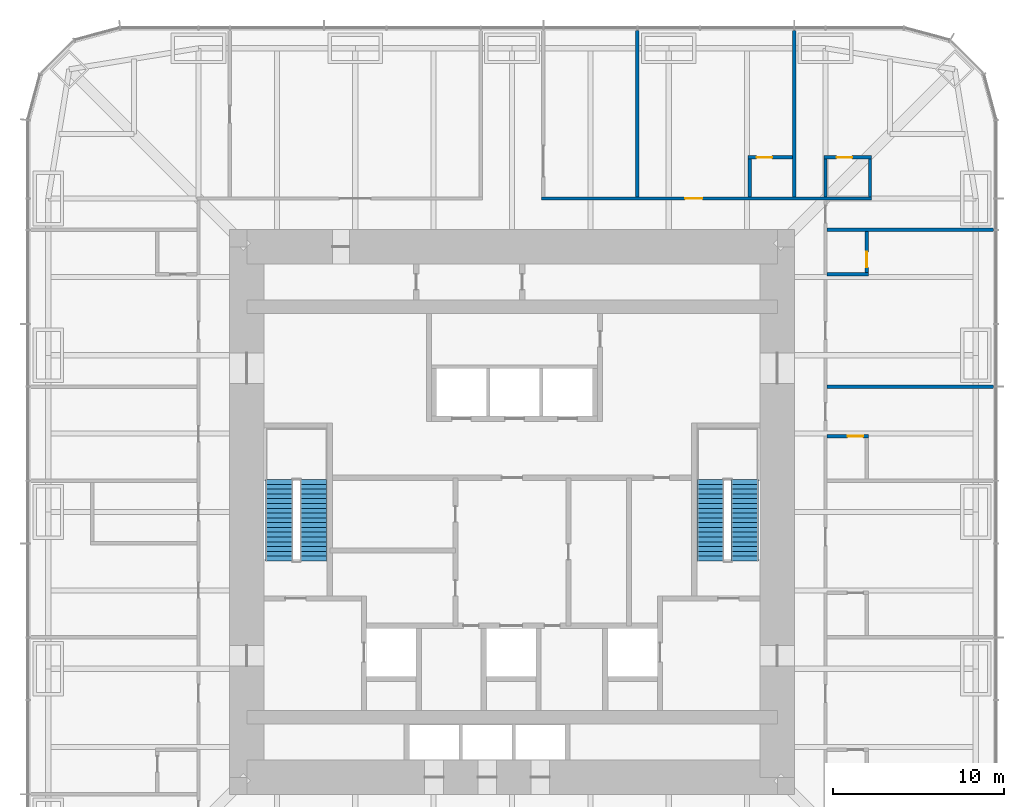
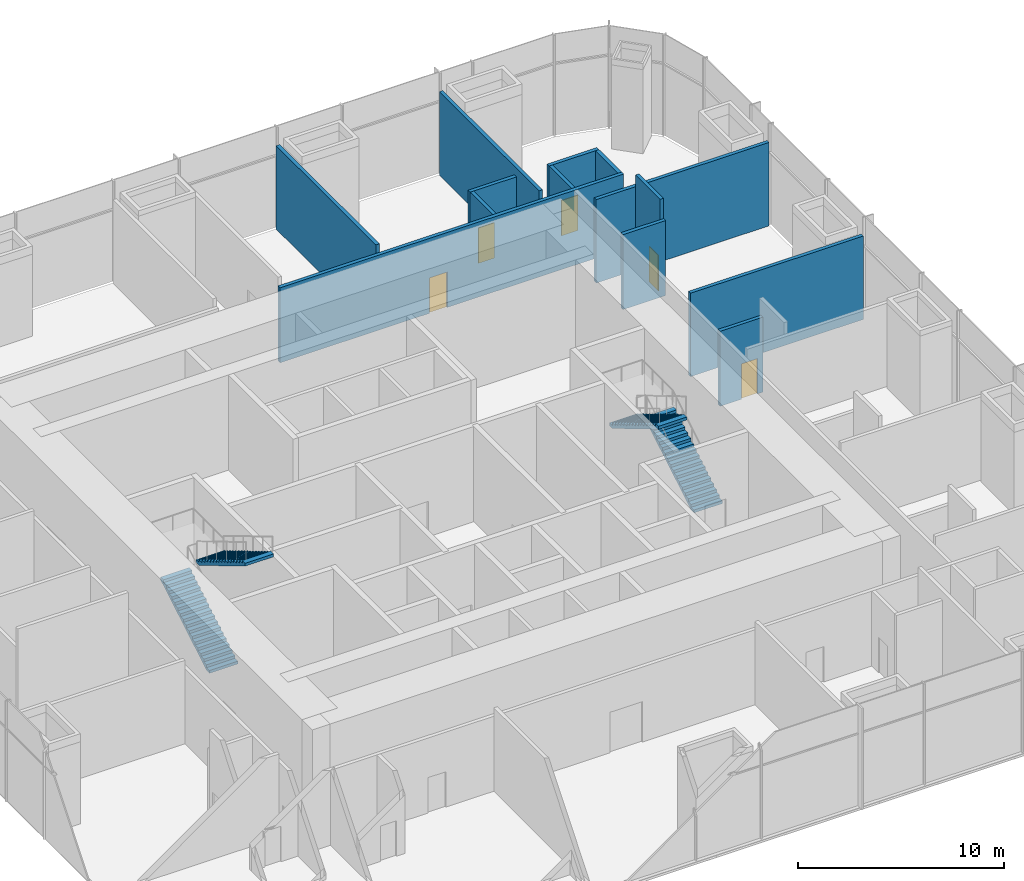
# One storey, part 11 of 12: 13 walls, 5 doors, 4 stair flights, 5 openings, 2 elements without a shape of their own.
"""IFC4 building model written with IfcOpenShell, lengths in metres."""

import ifcopenshell
import ifcopenshell.guid

model = None  # the IFC model being written
_history = None  # IfcOwnerHistory: only IFC2X3 demands one
_inside = {}  # id of a spatial element -> (the spatial element, [elements in it])
_under = {}  # id of a project, library or spatial element -> (it, [spatial elements below it])
_declared = {}  # id of a project -> (the project, [libraries it declares])
_typed = {}  # id of a type object -> (the type object, [elements of that type])
_made_of = {}  # id of a material, layer set ... -> (it, [elements and type objects made of it])


def new_model(schema):
    """Start an empty IFC model of exactly this schema.

    Asked for "IFC4X3", IfcOpenShell would pick the latest addendum, in which some entities
    have other attributes; the version numbers below select the first issue.
    IFC2X3 requires an IfcOwnerHistory on every rooted entity: one is made here for all.
    """
    global model, _history
    if schema == "IFC4X3":
        model = ifcopenshell.file(schema_version=(4, 3, 0, 0))
    else:
        model = ifcopenshell.file(schema=schema)
    _inside.clear()
    _under.clear()
    _declared.clear()
    _typed.clear()
    _made_of.clear()
    _history = None
    if model.schema == "IFC2X3":
        org = make("IfcOrganization", Name="unknown")
        user = make(
            "IfcPersonAndOrganization",
            ThePerson=make("IfcPerson", FamilyName="unknown"),
            TheOrganization=org,
        )
        app = make(
            "IfcApplication",
            ApplicationDeveloper=org,
            Version="unknown",
            ApplicationFullName="unknown",
            ApplicationIdentifier="unknown",
        )
        _history = make(
            "IfcOwnerHistory",
            OwningUser=user,
            OwningApplication=app,
            ChangeAction="ADDED",
            CreationDate=0,
        )
    return model


def make(cls, **values):
    """One entity of the class cls with the attributes given. An attribute that is None is left unset."""
    return model.create_entity(
        cls, **{name: value for name, value in values.items() if value is not None}
    )


def rooted(cls, **values):
    """An entity with a GlobalId (a new one), such as an element, a storey or a relation."""
    return make(cls, GlobalId=ifcopenshell.guid.new(), OwnerHistory=_history, **values)


def si_unit(unit_type, name, prefix=None):
    """IfcSIUnit, for example si_unit("LENGTHUNIT", "METRE", prefix="MILLI")."""
    return make("IfcSIUnit", UnitType=unit_type, Prefix=prefix, Name=name)


def assignment(units):
    """IfcUnitAssignment: the units of a project."""
    return None if units is None else make("IfcUnitAssignment", Units=units)


def point(xyz):
    """IfcCartesianPoint."""
    return None if xyz is None else make("IfcCartesianPoint", Coordinates=xyz)


def direction(xyz):
    """IfcDirection."""
    return None if xyz is None else make("IfcDirection", DirectionRatios=xyz)


def frame(location, z_axis=None, x_axis=None):
    """IfcAxis2Placement3D, a coordinate frame: its origin and axes. An axis left out is left unset."""
    return make(
        "IfcAxis2Placement3D",
        Location=point(location),
        Axis=direction(z_axis),
        RefDirection=direction(x_axis),
    )


def frame_2d(location, x_axis=None):
    """IfcAxis2Placement2D, a coordinate frame in the plane: its origin and x axis."""
    return make(
        "IfcAxis2Placement2D", Location=point(location), RefDirection=direction(x_axis)
    )


def origin():
    """The frame at (0, 0, 0) with its axes left unset."""
    return frame((0.0, 0.0, 0.0))


def place(relative_to, where):
    """IfcLocalPlacement: puts the frame where relative to a parent placement (None: the world)."""
    return make(
        "IfcLocalPlacement", PlacementRelTo=relative_to, RelativePlacement=where
    )


def context(
    kind, dimensions, precision=None, world=None, true_north=None, identifier=None
):
    """IfcGeometricRepresentationContext, for example the 3D "Model" context."""
    return make(
        "IfcGeometricRepresentationContext",
        ContextIdentifier=identifier,
        ContextType=kind,
        CoordinateSpaceDimension=dimensions,
        Precision=precision,
        WorldCoordinateSystem=world,
        TrueNorth=true_north,
    )


def subcontext(parent, identifier, kind, view, scale=None):
    """IfcGeometricRepresentationSubContext, for example "Body" below "Model"."""
    return make(
        "IfcGeometricRepresentationSubContext",
        ContextIdentifier=identifier,
        ContextType=kind,
        ParentContext=parent,
        TargetScale=scale,
        TargetView=view,
    )


def project(units=None, contexts=None):
    """IfcProject with its units and contexts."""
    return rooted(
        "IfcProject",
        Name="project",
        RepresentationContexts=contexts,
        UnitsInContext=assignment(units),
    )


def spatial(cls, under=None, at=None, **own):
    """A site, building, storey or space (cls), placed at a placement, below another one or the project."""
    s = rooted(cls, ObjectPlacement=at, **own)
    if under is not None:
        _under.setdefault(under.id(), (under, []))[1].append(s)
    return s


def polyline(points):
    """IfcPolyline through the points."""
    return make("IfcPolyline", Points=[point(p) for p in points])


def profile(cls, at=None, kind="AREA", **sizes):
    """A parametric profile (cls). Its sizes go by their IFC names, for example OverallWidth=200.0."""
    return make(cls, ProfileType=kind, Position=at, **sizes)


def rectangle(**sizes):
    """IfcRectangleProfileDef."""
    return profile("IfcRectangleProfileDef", **sizes)


def outline(outer, holes=None, kind="AREA"):
    """IfcArbitraryClosedProfileDef: a profile drawn as a closed curve; with holes, ...WithVoids."""
    if holes is None:
        return make("IfcArbitraryClosedProfileDef", ProfileType=kind, OuterCurve=outer)
    return make(
        "IfcArbitraryProfileDefWithVoids",
        ProfileType=kind,
        OuterCurve=outer,
        InnerCurves=holes,
    )


def extrude(swept, where, along, depth):
    """IfcExtrudedAreaSolid: the profile swept, set in the frame where, extruded along a direction by depth."""
    return make(
        "IfcExtrudedAreaSolid",
        SweptArea=swept,
        Position=where,
        ExtrudedDirection=direction(along),
        Depth=depth,
    )


def shape(context_of_items, identifier, shape_type, items):
    """IfcShapeRepresentation: the items that make up one representation, for example the "Body"."""
    return make(
        "IfcShapeRepresentation",
        ContextOfItems=context_of_items,
        RepresentationIdentifier=identifier,
        RepresentationType=shape_type,
        Items=items,
    )


def material(Name=None, Category=None):
    """IfcMaterial."""
    return make("IfcMaterial", Name=Name, Category=Category)


def layer(
    of_material, thickness, ventilated=None, Name=None, Category=None, Priority=None
):
    """IfcMaterialLayer: one layer of a wall or slab, of a material (None: an air gap)."""
    return make(
        "IfcMaterialLayer",
        Material=of_material,
        LayerThickness=thickness,
        IsVentilated=ventilated,
        Name=Name,
        Category=Category,
        Priority=Priority,
    )


def layer_set(layers, Name=None):
    """IfcMaterialLayerSet."""
    return make("IfcMaterialLayerSet", MaterialLayers=layers, LayerSetName=Name)


def made_of(thing, what):
    """Note that an element or type object is made of a material, layer set ...; save() writes the relation."""
    if what is not None:
        _made_of.setdefault(what.id(), (what, []))[1].append(thing)
    return thing


def type_object(cls, material=None, **own):
    """A type object (cls), such as IfcWallType, which elements share."""
    return made_of(rooted(cls, **own), material)


def element(
    cls,
    number,
    at=None,
    inside=None,
    cuts=None,
    type_object=None,
    material=None,
    context=None,
    identifier="Body",
    shape_type=None,
    held_by="IfcProductDefinitionShape",
    body=None,
    shapes=None,
    **own,
):
    """One element of the class cls, such as IfcWall. Its Tag is "e" and its number.

    at: its placement. inside: the storey or other place that contains it. cuts: it is an
    opening in that element (IfcRelVoidsElement). A single representation is given by context,
    identifier, shape_type and body (its items); several are given by shapes. held_by: the class
    of the entity that holds the representations. save() writes the other relations.
    """
    e = rooted(cls, Tag="e%d" % number, ObjectPlacement=at, **own)
    if body is not None:
        shapes = [shape(context, identifier, shape_type, body)]
    if shapes is not None:
        e.Representation = make(held_by, Representations=shapes)
    if inside is not None:
        _inside.setdefault(inside.id(), (inside, []))[1].append(e)
    if cuts is not None:
        rooted(
            "IfcRelVoidsElement", RelatingBuildingElement=cuts, RelatedOpeningElement=e
        )
    if type_object is not None:
        _typed.setdefault(type_object.id(), (type_object, []))[1].append(e)
    return made_of(e, material)


def fill(opening, filler):
    """IfcRelFillsElement: the door or window that sits in an opening."""
    return rooted(
        "IfcRelFillsElement",
        RelatingOpeningElement=opening,
        RelatedBuildingElement=filler,
    )


def aggregate(whole, parts):
    """IfcRelAggregates: a whole, such as a stair, and the parts it consists of."""
    return rooted("IfcRelAggregates", RelatingObject=whole, RelatedObjects=parts)


def save(model, path):
    """Write the relations noted so far, then the file.

    IfcRelAggregates (storeys below a building ...), IfcRelContainedInSpatialStructure (elements
    in a storey), IfcRelDefinesByType, IfcRelAssociatesMaterial and IfcRelDeclares: one each for
    every whole, place, type object, material and project.
    """
    for whole, parts in _under.values():
        aggregate(whole, parts)
    for where, things in _inside.values():
        rooted(
            "IfcRelContainedInSpatialStructure",
            RelatedElements=things,
            RelatingStructure=where,
        )
    for kind, things in _typed.values():
        rooted("IfcRelDefinesByType", RelatedObjects=things, RelatingType=kind)
    for what, things in _made_of.values():
        rooted("IfcRelAssociatesMaterial", RelatedObjects=things, RelatingMaterial=what)
    for by, libraries in _declared.values():
        rooted("IfcRelDeclares", RelatingContext=by, RelatedDefinitions=libraries)
    model.write(path)


model = new_model("IFC4")

# Units and contexts
model_context = context("Model", 3, precision=1e-05, world=origin(), true_north=direction((0.0, 1.0)))
body_context = subcontext(model_context, "Body", "Model", "MODEL_VIEW")
ifc_project = project(units=[si_unit("LENGTHUNIT", "METRE"), si_unit("AREAUNIT", "SQUARE_METRE"), si_unit("VOLUMEUNIT", "CUBIC_METRE"), si_unit("PLANEANGLEUNIT", "RADIAN"), si_unit("MASSUNIT", "GRAM", prefix="KILO")], contexts=[model_context])

# Site, building, storey
site_placement = place(None, origin())
site = spatial("IfcSite", under=ifc_project, at=site_placement, CompositionType="ELEMENT")
building_placement = place(site_placement, origin())
building = spatial("IfcBuilding", under=site, at=building_placement, Name="Khuree Lantern Residences", CompositionType="ELEMENT")
storey_placement = place(building_placement, frame((0.0, 0.0, 186.0)))
storey = spatial("IfcBuildingStorey", under=building, at=storey_placement, Name="L47", CompositionType="ELEMENT", Elevation=186.0)

# Wall, opening, door
ifc_material_1 = material(Name="Dense concrete blockwork", Category="masonry")
ifc_layer = layer(ifc_material_1, 0.199951171875)
ifc_layer_set = layer_set([ifc_layer], Name="ROOM WALL RMW200")
wall_type = type_object("IfcWallType", Name="ROOM WALL RMW200", PredefinedType="SOLIDWALL", material=ifc_layer_set)
wall_1_placement = place(storey_placement, frame((18.419921875, 4.431884765625, 0.0), z_axis=(0.0, 0.0, 1.0), x_axis=(1.0, 0.0, 0.0)))
wall_1 = element("IfcWall", 1, at=wall_1_placement, inside=storey, type_object=wall_type, Name="L47 ROOM WALL 33", PredefinedType="SOLIDWALL", context=body_context, shape_type="SweptSolid", body=[
    extrude(rectangle(XDim=2.400146484375, YDim=0.199951171875, at=frame_2d((1.2001953125, 0.0))), origin(), (0.0, 0.0, 1.0), 4.449951171875),
])
opening_1_placement = place(wall_1_placement, frame((1.194091796875, 0.0, 0.0)))
opening_1 = element("IfcOpeningElement", 2, at=opening_1_placement, cuts=wall_1, Name="Opening 47-053", PredefinedType="OPENING", context=body_context, shape_type="SweptSolid", body=[
    extrude(rectangle(XDim=0.89990234375, YDim=2.10009765625, at=frame_2d((0.449951171875, 1.050048828125))), frame((0.0, 0.10986328125, 0.0), z_axis=(0.0, -1.0, 0.0), x_axis=(1.0, 0.0, 0.0)), (0.0, 0.0, 1.0), 0.219970703125),
])
ifc_material_2 = material(Name="Timber door leaf in hardwood frame", Category="wood")
door_type_1 = type_object("IfcDoorType", Name="WC DOOR 900X2100", OperationType="SINGLE_SWING_LEFT", PredefinedType="DOOR", material=ifc_material_2)
door_1_placement = place(opening_1_placement, origin())
door_1 = element("IfcDoor", 3, at=door_1_placement, inside=storey, type_object=door_type_1, Name="En-suite bathroom door 47-053", OperationType="SINGLE_SWING_LEFT", OverallHeight=2.10009765625, OverallWidth=0.89990234375, PredefinedType="DOOR", context=body_context, shape_type="SweptSolid", body=[
    extrude(rectangle(XDim=0.89990234375, YDim=2.10009765625, at=frame_2d((0.449951171875, 1.050048828125))), frame((0.0, 0.02490234375, 0.0), z_axis=(0.0, -1.0, 0.0), x_axis=(1.0, 0.0, 0.0)), (0.0, 0.0, 1.0), 0.050048828125),
])
fill(opening_1, door_1)

# Walls
wall_2_placement = place(storey_placement, frame((18.419921875, 7.327880859375, 0.0), z_axis=(0.0, 0.0, 1.0), x_axis=(1.0, 0.0, 0.0)))
element("IfcWall", 4, at=wall_2_placement, inside=storey, type_object=wall_type, Name="L47 ROOM WALL 35", PredefinedType="SOLIDWALL", context=body_context, shape_type="SweptSolid", body=[
    extrude(rectangle(XDim=9.7099609375, YDim=0.199951171875, at=frame_2d((4.85498046875, 0.0))), origin(), (0.0, 0.0, 1.0), 4.949951171875),
])
wall_3_placement = place(storey_placement, frame((18.419921875, 13.887939453125, 0.0), z_axis=(0.0, 0.0, 1.0), x_axis=(1.0, 0.0, 0.0)))
element("IfcWall", 5, at=wall_3_placement, inside=storey, type_object=wall_type, Name="L47 ROOM WALL 37", PredefinedType="SOLIDWALL", context=body_context, shape_type="SweptSolid", body=[
    extrude(rectangle(XDim=2.400146484375, YDim=0.199951171875, at=frame_2d((1.2001953125, 0.0))), origin(), (0.0, 0.0, 1.0), 4.449951171875),
])

# Wall, opening, door
wall_4_placement = place(storey_placement, frame((20.719970703125, 13.988037109375, 0.0), z_axis=(0.0, 0.0, 1.0), x_axis=(0.0, 1.0, 0.0)))
wall_4 = element("IfcWall", 6, at=wall_4_placement, inside=storey, type_object=wall_type, Name="L47 ROOM WALL 39", PredefinedType="SOLIDWALL", context=body_context, shape_type="SweptSolid", body=[
    extrude(rectangle(XDim=2.39990234375, YDim=0.199951171875, at=frame_2d((1.199951171875, 0.0))), origin(), (0.0, 0.0, 1.0), 5.64990234375),
])
opening_2_placement = place(wall_4_placement, frame((0.31298828125, 0.0, 0.0)))
opening_2 = element("IfcOpeningElement", 7, at=opening_2_placement, cuts=wall_4, Name="Opening 47-054", PredefinedType="OPENING", context=body_context, shape_type="SweptSolid", body=[
    extrude(rectangle(XDim=0.89990234375, YDim=2.10009765625, at=frame_2d((0.449951171875, 1.050048828125))), frame((0.0, 0.10986328125, 0.0), z_axis=(0.0, -1.0, 0.0), x_axis=(1.0, 0.0, 0.0)), (0.0, 0.0, 1.0), 0.219970703125),
])
door_2_placement = place(opening_2_placement, origin())
door_2 = element("IfcDoor", 8, at=door_2_placement, inside=storey, type_object=door_type_1, Name="En-suite bathroom door 47-054", OperationType="SINGLE_SWING_LEFT", OverallHeight=2.10009765625, OverallWidth=0.89990234375, PredefinedType="DOOR", context=body_context, shape_type="SweptSolid", body=[
    extrude(rectangle(XDim=0.89990234375, YDim=2.10009765625, at=frame_2d((0.449951171875, 1.050048828125))), frame((0.0, 0.02490234375, 0.0), z_axis=(0.0, -1.0, 0.0), x_axis=(1.0, 0.0, 0.0)), (0.0, 0.0, 1.0), 0.050048828125),
])
fill(opening_2, door_2)

# Wall
wall_5_placement = place(storey_placement, frame((18.419921875, 16.488037109375, 0.0), z_axis=(0.0, 0.0, 1.0), x_axis=(1.0, 0.0, 0.0)))
element("IfcWall", 9, at=wall_5_placement, inside=storey, type_object=wall_type, Name="L47 ROOM WALL 41", PredefinedType="SOLIDWALL", context=body_context, shape_type="SweptSolid", body=[
    extrude(rectangle(XDim=9.7099609375, YDim=0.199951171875, at=frame_2d((4.85498046875, 0.0))), origin(), (0.0, 0.0, 1.0), 4.949951171875),
])

# Wall, opening, door
wall_6_placement = place(storey_placement, frame((1.73193359375, 18.320068359375, 0.0), z_axis=(0.0, 0.0, 1.0), x_axis=(1.0, 0.0, 0.0)))
wall_6 = element("IfcWall", 10, at=wall_6_placement, inside=storey, type_object=wall_type, Name="L47 ROOM WALL 43", PredefinedType="SOLIDWALL", context=body_context, shape_type="SweptSolid", body=[
    extrude(rectangle(XDim=19.2880859375, YDim=0.199951171875, at=frame_2d((9.64404296875, 0.0))), origin(), (0.0, 0.0, 1.0), 4.449951171875),
])
opening_3_placement = place(wall_6_placement, frame((8.385986328125, 0.0, 0.0)))
opening_3 = element("IfcOpeningElement", 11, at=opening_3_placement, cuts=wall_6, Name="Opening 47-038", PredefinedType="OPENING", context=body_context, shape_type="SweptSolid", body=[
    extrude(rectangle(XDim=1.0, YDim=2.10009765625, at=frame_2d((0.5, 1.050048828125))), frame((0.0, 0.10986328125, 0.0), z_axis=(0.0, -1.0, 0.0), x_axis=(1.0, 0.0, 0.0)), (0.0, 0.0, 1.0), 0.219970703125),
])
door_type_2 = type_object("IfcDoorType", Name="DOOR 1000X2100", OperationType="SINGLE_SWING_LEFT", PredefinedType="DOOR", material=ifc_material_2)
door_3_placement = place(opening_3_placement, origin())
door_3 = element("IfcDoor", 12, at=door_3_placement, inside=storey, type_object=door_type_2, Name="Guest suite door 47-038", OperationType="SINGLE_SWING_LEFT", OverallHeight=2.10009765625, OverallWidth=1.0, PredefinedType="DOOR", context=body_context, shape_type="SweptSolid", body=[
    extrude(rectangle(XDim=1.0, YDim=2.10009765625, at=frame_2d((0.5, 1.050048828125))), frame((0.0, 0.02490234375, 0.0), z_axis=(0.0, -1.0, 0.0), x_axis=(1.0, 0.0, 0.0)), (0.0, 0.0, 1.0), 0.050048828125),
])
fill(opening_3, door_3)

# Walls
wall_7_placement = place(storey_placement, frame((7.327880859375, 18.419921875, 0.0), z_axis=(0.0, 0.0, 1.0), x_axis=(0.0, 1.0, 0.0)))
element("IfcWall", 13, at=wall_7_placement, inside=storey, type_object=wall_type, Name="L47 ROOM WALL 47", PredefinedType="SOLIDWALL", context=body_context, shape_type="SweptSolid", body=[
    extrude(rectangle(XDim=9.7099609375, YDim=0.199951171875, at=frame_2d((4.85498046875, 0.0))), origin(), (0.0, 0.0, 1.0), 4.949951171875),
])
wall_8_placement = place(storey_placement, frame((13.887939453125, 18.419921875, 0.0), z_axis=(0.0, 0.0, 1.0), x_axis=(0.0, 1.0, 0.0)))
element("IfcWall", 14, at=wall_8_placement, inside=storey, type_object=wall_type, Name="L47 ROOM WALL 48", PredefinedType="SOLIDWALL", context=body_context, shape_type="SweptSolid", body=[
    extrude(rectangle(XDim=2.2001953125, YDim=0.199951171875, at=frame_2d((1.10009765625, 0.0))), origin(), (0.0, 0.0, 1.0), 4.449951171875),
])
wall_9_placement = place(storey_placement, frame((16.488037109375, 18.419921875, 0.0), z_axis=(0.0, 0.0, 1.0), x_axis=(0.0, 1.0, 0.0)))
element("IfcWall", 15, at=wall_9_placement, inside=storey, type_object=wall_type, Name="L47 ROOM WALL 49", PredefinedType="SOLIDWALL", context=body_context, shape_type="SweptSolid", body=[
    extrude(rectangle(XDim=9.7099609375, YDim=0.199951171875, at=frame_2d((4.85498046875, 0.0))), origin(), (0.0, 0.0, 1.0), 4.949951171875),
])
for number, where, z_axis, x_axis, name in (
    (16, (18.320068359375, 18.419921875, 0.0), (0.0, 0.0, 1.0), (0.0, 1.0, 0.0), "L47 ROOM WALL 50"),
    (17, (20.919921875, 18.419921875, 0.0), (0.0, 0.0, 1.0), (0.0, 1.0, 0.0), "L47 ROOM WALL 51"),
):
    element("IfcWall", number, at=place(storey_placement, frame(where, z_axis=z_axis, x_axis=x_axis)), inside=storey, type_object=wall_type, Name=name, PredefinedType="SOLIDWALL", context=body_context, shape_type="SweptSolid", body=[
        extrude(rectangle(XDim=2.2001953125, YDim=0.199951171875, at=frame_2d((1.10009765625, 0.0))), origin(), (0.0, 0.0, 1.0), 4.449951171875),
    ])

# Wall, opening, door
wall_10_placement = place(storey_placement, frame((13.7880859375, 20.719970703125, 0.0), z_axis=(0.0, 0.0, 1.0), x_axis=(1.0, 0.0, 0.0)))
wall_10 = element("IfcWall", 18, at=wall_10_placement, inside=storey, type_object=wall_type, Name="L47 ROOM WALL 52", PredefinedType="SOLIDWALL", context=body_context, shape_type="SweptSolid", body=[
    extrude(rectangle(XDim=2.599853515625, YDim=0.199951171875, at=frame_2d((1.2998046875, 0.0))), origin(), (0.0, 0.0, 1.0), 4.449951171875),
])
opening_4_placement = place(wall_10_placement, frame((0.512939453125, 0.0, 0.0)))
opening_4 = element("IfcOpeningElement", 19, at=opening_4_placement, cuts=wall_10, Name="Opening 47-056", PredefinedType="OPENING", context=body_context, shape_type="SweptSolid", body=[
    extrude(rectangle(XDim=0.89990234375, YDim=2.10009765625, at=frame_2d((0.449951171875, 1.050048828125))), frame((0.0, 0.10986328125, 0.0), z_axis=(0.0, -1.0, 0.0), x_axis=(1.0, 0.0, 0.0)), (0.0, 0.0, 1.0), 0.219970703125),
])
door_type_3 = type_object("IfcDoorType", Name="WC DOOR 900X2100 RIGHT HAND", OperationType="SINGLE_SWING_RIGHT", PredefinedType="DOOR", material=ifc_material_2)
door_4_placement = place(opening_4_placement, origin())
door_4 = element("IfcDoor", 20, at=door_4_placement, inside=storey, type_object=door_type_3, Name="En-suite bathroom door 47-056", OperationType="SINGLE_SWING_RIGHT", OverallHeight=2.10009765625, OverallWidth=0.89990234375, PredefinedType="DOOR", context=body_context, shape_type="SweptSolid", body=[
    extrude(rectangle(XDim=0.89990234375, YDim=2.10009765625, at=frame_2d((0.449951171875, 1.050048828125))), frame((0.0, 0.02490234375, 0.0), z_axis=(0.0, -1.0, 0.0), x_axis=(1.0, 0.0, 0.0)), (0.0, 0.0, 1.0), 0.050048828125),
])
fill(opening_4, door_4)

wall_11_placement = place(storey_placement, frame((18.219970703125, 20.719970703125, 0.0), z_axis=(0.0, 0.0, 1.0), x_axis=(1.0, 0.0, 0.0)))
wall_11 = element("IfcWall", 21, at=wall_11_placement, inside=storey, type_object=wall_type, Name="L47 ROOM WALL 53", PredefinedType="SOLIDWALL", context=body_context, shape_type="SweptSolid", body=[
    extrude(rectangle(XDim=2.800048828125, YDim=0.199951171875, at=frame_2d((1.39990234375, 0.0))), origin(), (0.0, 0.0, 1.0), 4.449951171875),
])
opening_5_placement = place(wall_11_placement, frame((0.75, 0.0, 0.0)))
opening_5 = element("IfcOpeningElement", 22, at=opening_5_placement, cuts=wall_11, Name="Opening 47-055", PredefinedType="OPENING", context=body_context, shape_type="SweptSolid", body=[
    extrude(rectangle(XDim=0.89990234375, YDim=2.10009765625, at=frame_2d((0.449951171875, 1.050048828125))), frame((0.0, 0.10986328125, 0.0), z_axis=(0.0, -1.0, 0.0), x_axis=(1.0, 0.0, 0.0)), (0.0, 0.0, 1.0), 0.219970703125),
])
door_5_placement = place(opening_5_placement, origin())
door_5 = element("IfcDoor", 23, at=door_5_placement, inside=storey, type_object=door_type_1, Name="En-suite bathroom door 47-055", OperationType="SINGLE_SWING_LEFT", OverallHeight=2.10009765625, OverallWidth=0.89990234375, PredefinedType="DOOR", context=body_context, shape_type="SweptSolid", body=[
    extrude(rectangle(XDim=0.89990234375, YDim=2.10009765625, at=frame_2d((0.449951171875, 1.050048828125))), frame((0.0, 0.02490234375, 0.0), z_axis=(0.0, -1.0, 0.0), x_axis=(1.0, 0.0, 0.0)), (0.0, 0.0, 1.0), 0.050048828125),
])
fill(opening_5, door_5)

# Stair, stair flights
ifc_material_3 = material(Name="Concrete C40/50", Category="concrete")
stair_type = type_object("IfcStairType", Name="STAIR ST1 HALF TURN 3600", PredefinedType="HALF_TURN_STAIR", material=ifc_material_3)
stair_1_placement = place(storey_placement, origin())
stair_1 = element("IfcStair", 24, at=stair_1_placement, inside=storey, type_object=stair_type, Name="Stair ST1", PredefinedType="HALF_TURN_STAIR")
stair_flight_type = type_object("IfcStairFlightType", Name="STAIR FLIGHT SF1 1600", PredefinedType="STRAIGHT", material=ifc_material_3)
stair_flight_1_placement = place(storey_placement, frame((-13.60009765625, -2.860107421875, 0.0), z_axis=(0.0, 0.0, 1.0), x_axis=(0.0, 1.0, 0.0)))
stair_flight_1 = element("IfcStairFlight", 25, at=stair_flight_1_placement, type_object=stair_flight_type, Name="ST1 flight 1", NumberOfRisers=18, NumberOfTreads=17, PredefinedType="STRAIGHT", RiserHeight=0.166666667, TreadLength=0.28, context=body_context, shape_type="SweptSolid", body=[
    extrude(outline(polyline([(0.0, 0.0), (0.0, 0.166748046875), (0.280029296875, 0.166748046875), (0.280029296875, 0.333251953125), (0.56005859375, 0.333251953125), (0.56005859375, 0.5), (0.840087890625, 0.5), (0.840087890625, 0.666748046875), (1.1201171875, 0.666748046875), (1.1201171875, 0.833251953125), (1.39990234375, 0.833251953125), (1.39990234375, 1.0), (1.679931640625, 1.0), (1.679931640625, 1.166748046875), (1.9599609375, 1.166748046875), (1.9599609375, 1.333251953125), (2.239990234375, 1.333251953125), (2.239990234375, 1.5), (2.52001953125, 1.5), (2.52001953125, 1.666748046875), (2.800048828125, 1.666748046875), (2.800048828125, 1.833251953125), (3.080078125, 1.833251953125), (3.080078125, 2.0), (3.360107421875, 2.0), (3.360107421875, 2.166748046875), (3.639892578125, 2.166748046875), (3.639892578125, 2.333251953125), (3.919921875, 2.333251953125), (3.919921875, 2.5), (4.199951171875, 2.5), (4.199951171875, 2.666748046875), (4.47998046875, 2.666748046875), (4.47998046875, 2.833251953125), (4.760009765625, 2.833251953125), (4.760009765625, 3.0), (4.760009765625, 2.658935546875), (0.29296875, 0.0), (0.0, 0.0)])), frame((0.0, 0.800048828125, 0.0), z_axis=(0.0, -1.0, 0.0), x_axis=(1.0, 0.0, 0.0)), (0.0, 0.0, 1.0), 1.60009765625),
])
stair_flight_2_placement = place(storey_placement, frame((-11.60009765625, 1.89990234375, 3.0), z_axis=(0.0, 0.0, 1.0), x_axis=(0.0, -1.0, 0.0)))
stair_flight_2 = element("IfcStairFlight", 26, at=stair_flight_2_placement, type_object=stair_flight_type, Name="ST1 flight 2", NumberOfRisers=18, NumberOfTreads=17, PredefinedType="STRAIGHT", RiserHeight=0.166666667, TreadLength=0.28, context=body_context, shape_type="SweptSolid", body=[
    extrude(outline(polyline([(0.0, 0.0), (0.0, 0.166748046875), (0.280029296875, 0.166748046875), (0.280029296875, 0.333251953125), (0.56005859375, 0.333251953125), (0.56005859375, 0.5), (0.840087890625, 0.5), (0.840087890625, 0.666748046875), (1.1201171875, 0.666748046875), (1.1201171875, 0.833251953125), (1.39990234375, 0.833251953125), (1.39990234375, 1.0), (1.679931640625, 1.0), (1.679931640625, 1.166748046875), (1.9599609375, 1.166748046875), (1.9599609375, 1.333251953125), (2.239990234375, 1.333251953125), (2.239990234375, 1.5), (2.52001953125, 1.5), (2.52001953125, 1.666748046875), (2.800048828125, 1.666748046875), (2.800048828125, 1.833251953125), (3.080078125, 1.833251953125), (3.080078125, 2.0), (3.360107421875, 2.0), (3.360107421875, 2.166748046875), (3.639892578125, 2.166748046875), (3.639892578125, 2.333251953125), (3.919921875, 2.333251953125), (3.919921875, 2.5), (4.199951171875, 2.5), (4.199951171875, 2.666748046875), (4.47998046875, 2.666748046875), (4.47998046875, 2.833251953125), (4.760009765625, 2.833251953125), (4.760009765625, 3.0), (4.760009765625, 2.658935546875), (0.29296875, 0.0), (0.0, 0.0)])), frame((0.0, 0.800048828125, 0.0), z_axis=(0.0, -1.0, 0.0), x_axis=(1.0, 0.0, 0.0)), (0.0, 0.0, 1.0), 1.60009765625),
])
aggregate(stair_1, [stair_flight_1, stair_flight_2])

stair_2_placement = place(storey_placement, origin())
stair_2 = element("IfcStair", 27, at=stair_2_placement, inside=storey, type_object=stair_type, Name="Stair ST2", PredefinedType="HALF_TURN_STAIR")
stair_flight_3_placement = place(storey_placement, frame((13.60009765625, -2.860107421875, 0.0), z_axis=(0.0, 0.0, 1.0), x_axis=(0.0, 1.0, 0.0)))
stair_flight_3 = element("IfcStairFlight", 28, at=stair_flight_3_placement, type_object=stair_flight_type, Name="ST2 flight 1", NumberOfRisers=18, NumberOfTreads=17, PredefinedType="STRAIGHT", RiserHeight=0.166666667, TreadLength=0.28, context=body_context, shape_type="SweptSolid", body=[
    extrude(outline(polyline([(0.0, 0.0), (0.0, 0.166748046875), (0.280029296875, 0.166748046875), (0.280029296875, 0.333251953125), (0.56005859375, 0.333251953125), (0.56005859375, 0.5), (0.840087890625, 0.5), (0.840087890625, 0.666748046875), (1.1201171875, 0.666748046875), (1.1201171875, 0.833251953125), (1.39990234375, 0.833251953125), (1.39990234375, 1.0), (1.679931640625, 1.0), (1.679931640625, 1.166748046875), (1.9599609375, 1.166748046875), (1.9599609375, 1.333251953125), (2.239990234375, 1.333251953125), (2.239990234375, 1.5), (2.52001953125, 1.5), (2.52001953125, 1.666748046875), (2.800048828125, 1.666748046875), (2.800048828125, 1.833251953125), (3.080078125, 1.833251953125), (3.080078125, 2.0), (3.360107421875, 2.0), (3.360107421875, 2.166748046875), (3.639892578125, 2.166748046875), (3.639892578125, 2.333251953125), (3.919921875, 2.333251953125), (3.919921875, 2.5), (4.199951171875, 2.5), (4.199951171875, 2.666748046875), (4.47998046875, 2.666748046875), (4.47998046875, 2.833251953125), (4.760009765625, 2.833251953125), (4.760009765625, 3.0), (4.760009765625, 2.658935546875), (0.29296875, 0.0), (0.0, 0.0)])), frame((0.0, 0.800048828125, 0.0), z_axis=(0.0, -1.0, 0.0), x_axis=(1.0, 0.0, 0.0)), (0.0, 0.0, 1.0), 1.60009765625),
])
stair_flight_4_placement = place(storey_placement, frame((11.60009765625, 1.89990234375, 3.0), z_axis=(0.0, 0.0, 1.0), x_axis=(0.0, -1.0, 0.0)))
stair_flight_4 = element("IfcStairFlight", 29, at=stair_flight_4_placement, type_object=stair_flight_type, Name="ST2 flight 2", NumberOfRisers=18, NumberOfTreads=17, PredefinedType="STRAIGHT", RiserHeight=0.166666667, TreadLength=0.28, context=body_context, shape_type="SweptSolid", body=[
    extrude(outline(polyline([(0.0, 0.0), (0.0, 0.166748046875), (0.280029296875, 0.166748046875), (0.280029296875, 0.333251953125), (0.56005859375, 0.333251953125), (0.56005859375, 0.5), (0.840087890625, 0.5), (0.840087890625, 0.666748046875), (1.1201171875, 0.666748046875), (1.1201171875, 0.833251953125), (1.39990234375, 0.833251953125), (1.39990234375, 1.0), (1.679931640625, 1.0), (1.679931640625, 1.166748046875), (1.9599609375, 1.166748046875), (1.9599609375, 1.333251953125), (2.239990234375, 1.333251953125), (2.239990234375, 1.5), (2.52001953125, 1.5), (2.52001953125, 1.666748046875), (2.800048828125, 1.666748046875), (2.800048828125, 1.833251953125), (3.080078125, 1.833251953125), (3.080078125, 2.0), (3.360107421875, 2.0), (3.360107421875, 2.166748046875), (3.639892578125, 2.166748046875), (3.639892578125, 2.333251953125), (3.919921875, 2.333251953125), (3.919921875, 2.5), (4.199951171875, 2.5), (4.199951171875, 2.666748046875), (4.47998046875, 2.666748046875), (4.47998046875, 2.833251953125), (4.760009765625, 2.833251953125), (4.760009765625, 3.0), (4.760009765625, 2.658935546875), (0.29296875, 0.0), (0.0, 0.0)])), frame((0.0, 0.800048828125, 0.0), z_axis=(0.0, -1.0, 0.0), x_axis=(1.0, 0.0, 0.0)), (0.0, 0.0, 1.0), 1.60009765625),
])
aggregate(stair_2, [stair_flight_3, stair_flight_4])

save(model, "model.ifc")
